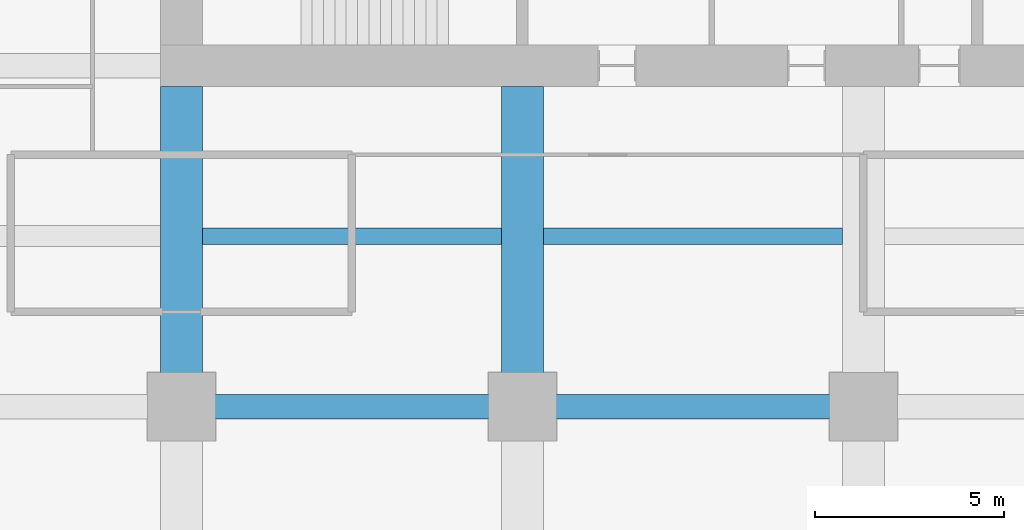
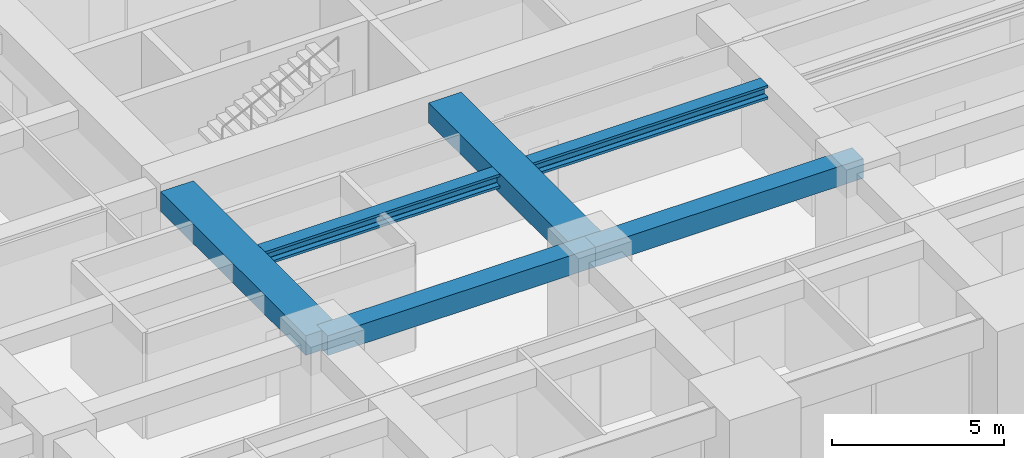
# One storey, part 8 of 40: 6 beams.
"""IFC4 building model written with IfcOpenShell, lengths in metres."""

from ifc_helpers import new_model, si_unit, direction, frame, origin, origin_2d, place, context, subcontext, project, spatial, rectangle, i_section, extrude, material, material_profile, profile_set, type_object, element, save


model = new_model("IFC4")

# Units and contexts
model_context = context("Model", 3, precision=1e-05, world=origin(), true_north=direction((0.0, 1.0)))
body_context = subcontext(model_context, "Body", "Model", "MODEL_VIEW")
ifc_project = project(units=[si_unit("LENGTHUNIT", "METRE"), si_unit("AREAUNIT", "SQUARE_METRE"), si_unit("VOLUMEUNIT", "CUBIC_METRE"), si_unit("PLANEANGLEUNIT", "RADIAN"), si_unit("MASSUNIT", "GRAM", prefix="KILO")], contexts=[model_context])

# Site, building, storey
site_placement = place(None, origin())
site = spatial("IfcSite", under=ifc_project, at=site_placement, CompositionType="ELEMENT")
building_placement = place(site_placement, origin())
building = spatial("IfcBuilding", under=site, at=building_placement, Name="Zorevar Civic Tower", CompositionType="ELEMENT")
storey_placement = place(building_placement, frame((0.0, 0.0, 129.0)))
storey = spatial("IfcBuildingStorey", under=building, at=storey_placement, Name="L31", CompositionType="ELEMENT", Elevation=129.0)

# Beams
ifc_material_1 = material(Name="Concrete C50/60", Category="concrete")
ifc_material_profile_1 = material_profile(ifc_material_1, rectangle(XDim=1.10009765625, YDim=0.699951171875, at=origin_2d()), Name="RC 1100x700")
ifc_profile_set_1 = profile_set([ifc_material_profile_1], Name="Concrete C50/60")
beam_type_1 = type_object("IfcBeamType", Name="Beam RC 1100x700", PredefinedType="BEAM", material=ifc_profile_set_1)
for number, where, z_axis, x_axis, name in (
    (1, (18.0, 9.0, 3.39990234375), (0.0, 1.0, 0.0), (-1.0, 0.0, 0.0), "Girder L32"),
    (2, (27.0, 9.0, 3.39990234375), (0.0, 1.0, 0.0), (-1.0, 0.0, 0.0), "Girder L32"),
):
    element("IfcBeam", number, at=place(storey_placement, frame(where, z_axis=z_axis, x_axis=x_axis)), inside=storey, type_object=beam_type_1, Name=name, PredefinedType="BEAM", context=body_context, shape_type="SweptSolid", body=[
        extrude(rectangle(XDim=1.10009765625, YDim=0.699951171875, at=origin_2d()), origin(), (0.0, 0.0, 1.0), 8.449951171875),
    ])
ifc_material_2 = material(Name="Concrete C50/60", Category="concrete")
ifc_material_profile_2 = material_profile(ifc_material_2, rectangle(XDim=0.64990234375, YDim=0.699951171875, at=origin_2d()), Name="RC 650x700")
ifc_profile_set_2 = profile_set([ifc_material_profile_2], Name="Concrete C50/60")
beam_type_2 = type_object("IfcBeamType", Name="Beam RC 650x700", PredefinedType="BEAM", material=ifc_profile_set_2)
for number, where, z_axis, x_axis, name in (
    (3, (18.0, 9.0, 3.39990234375), (1.0, 0.0, 0.0), (0.0, 1.0, 0.0), "Girder L32"),
    (4, (27.0, 9.0, 3.39990234375), (1.0, 0.0, 0.0), (0.0, 1.0, 0.0), "Girder L32"),
):
    element("IfcBeam", number, at=place(storey_placement, frame(where, z_axis=z_axis, x_axis=x_axis)), inside=storey, type_object=beam_type_2, Name=name, PredefinedType="BEAM", context=body_context, shape_type="SweptSolid", body=[
        extrude(rectangle(XDim=0.64990234375, YDim=0.699951171875, at=origin_2d()), origin(), (0.0, 0.0, 1.0), 9.0),
    ])
ifc_material_3 = material(Name="Steel S460M (HISTAR 460)", Category="steel")
ifc_material_profile_3 = material_profile(ifc_material_3, i_section(OverallWidth=0.431884765625, OverallDepth=0.498046875, WebThickness=0.0556640625, FlangeThickness=0.0888671875, FilletRadius=0.014892578125, at=origin_2d()), Name="HD 400x744")
ifc_profile_set_3 = profile_set([ifc_material_profile_3], Name="Steel S460M (HISTAR 460)")
beam_type_3 = type_object("IfcBeamType", Name="Core bay beam HD 400x744", PredefinedType="BEAM", material=ifc_profile_set_3)
for number, where, z_axis, x_axis, name in (
    (5, (18.550048828125, 13.5, 3.5009765625), (1.0, 0.0, 0.0), (0.0, 1.0, 0.0), "Secondary beam L32"),
    (6, (27.550048828125, 13.5, 3.5009765625), (1.0, 0.0, 0.0), (0.0, 1.0, 0.0), "Secondary beam L32"),
):
    element("IfcBeam", number, at=place(storey_placement, frame(where, z_axis=z_axis, x_axis=x_axis)), inside=storey, type_object=beam_type_3, Name=name, PredefinedType="BEAM", context=body_context, shape_type="SweptSolid", body=[
        extrude(i_section(OverallWidth=0.431884765625, OverallDepth=0.498046875, WebThickness=0.0556640625, FlangeThickness=0.0888671875, FilletRadius=0.014892578125, at=origin_2d()), origin(), (0.0, 0.0, 1.0), 7.89990234375),
    ])

save(model, "model.ifc")
